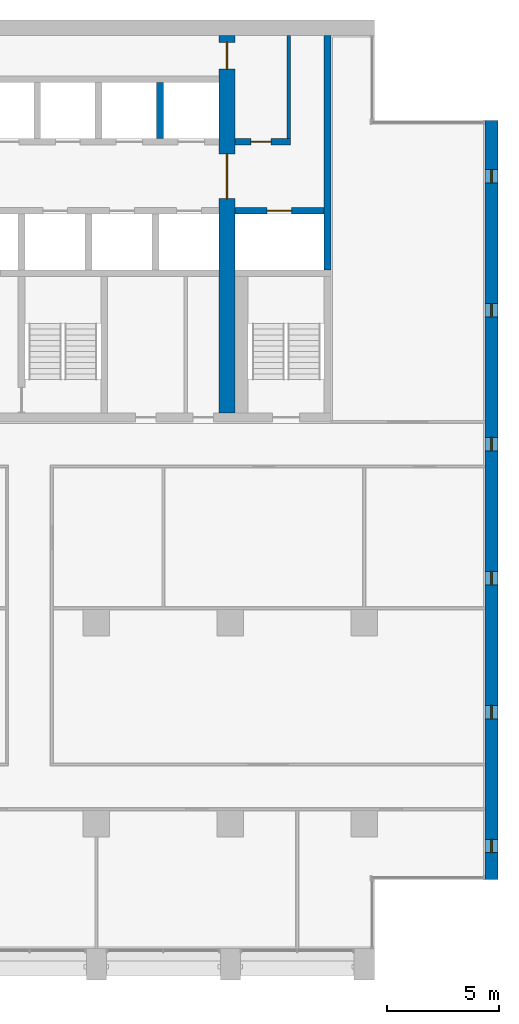
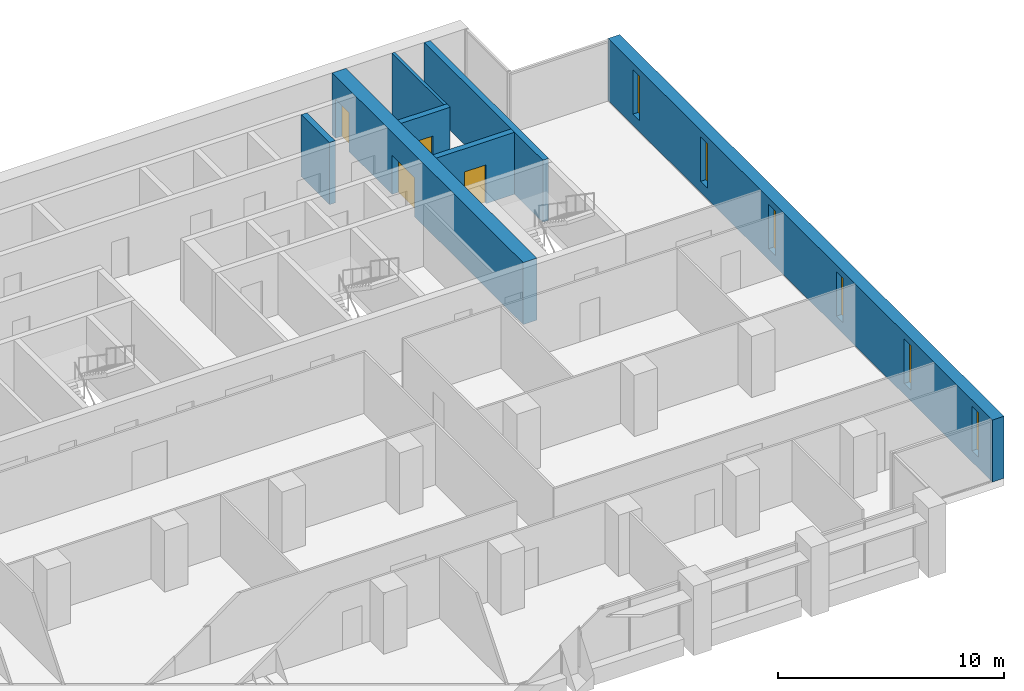
# One storey, part 12 of 17: 7 walls, 6 windows, 4 doors, 10 openings.
"""IFC4 building model written with IfcOpenShell, lengths in metres."""

from ifc_helpers import new_model, si_unit, direction, frame, frame_2d, origin, place, context, subcontext, project, spatial, rectangle, extrude, material, layer, layer_set, type_object, element, fill, save


model = new_model("IFC4")

# Units and contexts
model_context = context("Model", 3, precision=1e-05, world=origin(), true_north=direction((0.0, 1.0)))
body_context = subcontext(model_context, "Body", "Model", "MODEL_VIEW")
ifc_project = project(units=[si_unit("LENGTHUNIT", "METRE"), si_unit("AREAUNIT", "SQUARE_METRE"), si_unit("VOLUMEUNIT", "CUBIC_METRE"), si_unit("PLANEANGLEUNIT", "RADIAN"), si_unit("MASSUNIT", "GRAM", prefix="KILO")], contexts=[model_context])

# Site, building, storey
site_placement = place(None, origin())
site = spatial("IfcSite", under=ifc_project, at=site_placement, CompositionType="ELEMENT")
building_placement = place(site_placement, origin())
building = spatial("IfcBuilding", under=site, at=building_placement, Name="Calvaro Tower", CompositionType="ELEMENT")
storey_placement = place(building_placement, frame((0.0, 0.0, 170.5)))
storey = spatial("IfcBuildingStorey", under=building, at=storey_placement, Name="L42", CompositionType="ELEMENT", Elevation=170.5)

# Wall
ifc_material_1 = material(Name="Blockwork partition", Category="masonry")
ifc_layer_1 = layer(ifc_material_1, 0.14990234375)
ifc_layer_set_1 = layer_set([ifc_layer_1], Name="Blockwork partition")
wall_type_1 = type_object("IfcWallType", Name="Core partition 150 REI 120", PredefinedType="PARTITIONING", material=ifc_layer_set_1)
wall_1_placement = place(storey_placement, frame((62.625, 40.699951171875, 0.0), z_axis=(0.0, 0.0, 1.0), x_axis=(0.0, 1.0, 0.0)))
element("IfcWall", 1, at=wall_1_placement, inside=storey, type_object=wall_type_1, Name="Core partition", PredefinedType="PARTITIONING", context=body_context, shape_type="SweptSolid", body=[
    extrude(rectangle(XDim=4.60009765625, YDim=0.14990234375, at=frame_2d((2.300048828125, 0.0))), origin(), (0.0, 0.0, 1.0), 3.35009765625),
])

# Wall, opening, door
ifc_material_2 = material(Name="Blockwork partition", Category="masonry")
ifc_layer_2 = layer(ifc_material_2, 0.300048828125)
ifc_layer_set_2 = layer_set([ifc_layer_2], Name="Blockwork partition")
wall_type_2 = type_object("IfcWallType", Name="Core partition 300 REI 120", PredefinedType="PARTITIONING", material=ifc_layer_set_2)
wall_2_placement = place(storey_placement, frame((60.199951171875, 40.550048828125, 0.0), z_axis=(0.0, 0.0, 1.0), x_axis=(1.0, 0.0, 0.0)))
wall_2 = element("IfcWall", 2, at=wall_2_placement, inside=storey, type_object=wall_type_2, Name="Core partition", PredefinedType="PARTITIONING", context=body_context, shape_type="SweptSolid", body=[
    extrude(rectangle(XDim=2.5, YDim=0.300048828125, at=frame_2d((1.25, 0.0))), origin(), (0.0, 0.0, 1.0), 3.35009765625),
])
opening_1_placement = place(wall_2_placement, frame((0.72509765625, 0.0, 0.0)))
opening_1 = element("IfcOpeningElement", 3, at=opening_1_placement, cuts=wall_2, Name="Opening RD9E", PredefinedType="OPENING", context=body_context, shape_type="SweptSolid", body=[
    extrude(rectangle(XDim=0.89990234375, YDim=2.10009765625, at=frame_2d((0.449951171875, 1.050048828125))), frame((0.0, 0.159912109375, 0.0), z_axis=(0.0, -1.0, 0.0), x_axis=(1.0, 0.0, 0.0)), (0.0, 0.0, 1.0), 0.320068359375),
])
ifc_material_3 = material(Name="Steel door set", Category="steel")
door_type_1 = type_object("IfcDoorType", Name="Room door 900 FD60", OperationType="SINGLE_SWING_LEFT", PredefinedType="DOOR", material=ifc_material_3)
door_1_placement = place(opening_1_placement, origin())
door_1 = element("IfcDoor", 4, at=door_1_placement, inside=storey, type_object=door_type_1, Name="Room door", OperationType="SINGLE_SWING_LEFT", OverallHeight=2.10009765625, OverallWidth=0.89990234375, PredefinedType="DOOR", context=body_context, shape_type="SweptSolid", body=[
    extrude(rectangle(XDim=0.89990234375, YDim=2.10009765625, at=frame_2d((0.449951171875, 1.050048828125))), frame((0.0, 0.02490234375, 0.0), z_axis=(0.0, -1.0, 0.0), x_axis=(1.0, 0.0, 0.0)), (0.0, 0.0, 1.0), 0.050048828125),
])
fill(opening_1, door_1)

# Wall
ifc_material_4 = material(Name="Concrete C50/60", Category="concrete")
ifc_layer_3 = layer(ifc_material_4, 0.300048828125)
ifc_layer_set_3 = layer_set([ifc_layer_3], Name="Concrete C50/60")
wall_type_3 = type_object("IfcWallType", Name="Core wall C50/60 300", PredefinedType="SHEAR", material=ifc_layer_set_3)
wall_3_placement = place(storey_placement, frame((64.35009765625, 34.800048828125, 0.0), z_axis=(0.0, 0.0, 1.0), x_axis=(0.0, 1.0, 0.0)))
element("IfcWall", 5, at=wall_3_placement, inside=storey, type_object=wall_type_3, Name="Core wall, boundary", PredefinedType="SHEAR", context=body_context, shape_type="SweptSolid", body=[
    extrude(rectangle(XDim=10.5, YDim=0.300048828125, at=frame_2d((5.25, 0.0))), origin(), (0.0, 0.0, 1.0), 3.35009765625),
])

# Wall, opening, door
wall_4_placement = place(storey_placement, frame((60.199951171875, 37.449951171875, 0.0), z_axis=(0.0, 0.0, 1.0), x_axis=(1.0, 0.0, 0.0)))
wall_4 = element("IfcWall", 6, at=wall_4_placement, inside=storey, type_object=wall_type_3, Name="Core wall, lift shaft", PredefinedType="SHEAR", context=body_context, shape_type="SweptSolid", body=[
    extrude(rectangle(XDim=4.0, YDim=0.300048828125, at=frame_2d((2.0, 0.0))), origin(), (0.0, 0.0, 1.0), 3.35009765625),
])
opening_2_placement = place(wall_4_placement, frame((1.449951171875, 0.0, 0.0)))
opening_2 = element("IfcOpeningElement", 7, at=opening_2_placement, cuts=wall_4, Name="Opening FF3", PredefinedType="OPENING", context=body_context, shape_type="SweptSolid", body=[
    extrude(rectangle(XDim=1.10009765625, YDim=2.10009765625, at=frame_2d((0.550048828125, 1.050048828125))), frame((0.0, 0.159912109375, 0.0), z_axis=(0.0, -1.0, 0.0), x_axis=(1.0, 0.0, 0.0)), (0.0, 0.0, 1.0), 0.320068359375),
])
ifc_material_5 = material(Name="Stainless steel", Category="steel")
door_type_2 = type_object("IfcDoorType", Name="Landing door 1100 E 60", OperationType="SLIDING_TO_LEFT", PredefinedType="DOOR", material=ifc_material_5)
door_2_placement = place(opening_2_placement, origin())
door_2 = element("IfcDoor", 8, at=door_2_placement, inside=storey, type_object=door_type_2, Name="Landing door FF3", OperationType="SLIDING_TO_LEFT", OverallHeight=2.10009765625, OverallWidth=1.10009765625, PredefinedType="DOOR", context=body_context, shape_type="SweptSolid", body=[
    extrude(rectangle(XDim=1.10009765625, YDim=2.10009765625, at=frame_2d((0.550048828125, 1.050048828125))), frame((0.0, 0.02490234375, 0.0), z_axis=(0.0, -1.0, 0.0), x_axis=(1.0, 0.0, 0.0)), (0.0, 0.0, 1.0), 0.050048828125),
])
fill(opening_2, door_2)

# Wall
wall_5_placement = place(storey_placement, frame((56.85009765625, 40.699951171875, 0.0), z_axis=(0.0, 0.0, 1.0), x_axis=(0.0, 1.0, 0.0)))
element("IfcWall", 9, at=wall_5_placement, inside=storey, type_object=wall_type_3, Name="Core wall, lift shaft", PredefinedType="SHEAR", context=body_context, shape_type="SweptSolid", body=[
    extrude(rectangle(XDim=2.5, YDim=0.300048828125, at=frame_2d((1.25, 0.0))), origin(), (0.0, 0.0, 1.0), 3.35009765625),
])

# Wall, openings, doors
ifc_material_6 = material(Name="Concrete C50/60", Category="concrete")
ifc_layer_4 = layer(ifc_material_6, 0.699951171875)
ifc_layer_set_4 = layer_set([ifc_layer_4], Name="Concrete C50/60")
wall_type_4 = type_object("IfcWallType", Name="Core wall C50/60 700", PredefinedType="SHEAR", material=ifc_layer_set_4)
wall_6_placement = place(storey_placement, frame((59.85009765625, 28.39990234375, 0.0), z_axis=(0.0, 0.0, 1.0), x_axis=(0.0, 1.0, 0.0)))
wall_6 = element("IfcWall", 10, at=wall_6_placement, inside=storey, type_object=wall_type_4, Name="Core wall, cross shear wall", PredefinedType="SHEAR", context=body_context, shape_type="SweptSolid", body=[
    extrude(rectangle(XDim=16.900146484375, YDim=0.699951171875, at=frame_2d((8.4501953125, 0.0))), origin(), (0.0, 0.0, 1.0), 3.35009765625),
])
opening_3_placement = place(wall_6_placement, frame((9.60009765625, 0.0, 0.0)))
opening_3 = element("IfcOpeningElement", 11, at=opening_3_placement, cuts=wall_6, Name="Opening DD20D", PredefinedType="OPENING", context=body_context, shape_type="SweptSolid", body=[
    extrude(rectangle(XDim=2.0, YDim=2.10009765625, at=frame_2d((1.0, 1.050048828125))), frame((0.0, 0.35986328125, 0.0), z_axis=(0.0, -1.0, 0.0), x_axis=(1.0, 0.0, 0.0)), (0.0, 0.0, 1.0), 0.719970703125),
])
opening_4_placement = place(wall_6_placement, frame((15.39990234375, 0.0, 0.0)))
opening_4 = element("IfcOpeningElement", 12, at=opening_4_placement, cuts=wall_6, Name="Opening FD12C", PredefinedType="OPENING", context=body_context, shape_type="SweptSolid", body=[
    extrude(rectangle(XDim=1.199951171875, YDim=2.10009765625, at=frame_2d((0.60009765625, 1.050048828125))), frame((0.0, 0.35986328125, 0.0), z_axis=(0.0, -1.0, 0.0), x_axis=(1.0, 0.0, 0.0)), (0.0, 0.0, 1.0), 0.719970703125),
])
ifc_material_7 = material(Name="Steel door set", Category="steel")
door_type_3 = type_object("IfcDoorType", Name="Fire door 1200 FD30", OperationType="SINGLE_SWING_LEFT", PredefinedType="DOOR", material=ifc_material_7)
door_3_placement = place(opening_4_placement, origin())
door_3 = element("IfcDoor", 13, at=door_3_placement, inside=storey, type_object=door_type_3, Name="Fire door", OperationType="SINGLE_SWING_LEFT", OverallHeight=2.10009765625, OverallWidth=1.199951171875, PredefinedType="DOOR", context=body_context, shape_type="SweptSolid", body=[
    extrude(rectangle(XDim=1.199951171875, YDim=2.10009765625, at=frame_2d((0.60009765625, 1.050048828125))), frame((0.0, 0.02490234375, 0.0), z_axis=(0.0, -1.0, 0.0), x_axis=(1.0, 0.0, 0.0)), (0.0, 0.0, 1.0), 0.050048828125),
])
fill(opening_4, door_3)
ifc_material_8 = material(Name="Steel door set", Category="steel")
door_type_4 = type_object("IfcDoorType", Name="Lobby double door 2000 FD30S", OperationType="DOUBLE_DOOR_SINGLE_SWING", PredefinedType="DOOR", material=ifc_material_8)
door_4_placement = place(opening_3_placement, origin())
door_4 = element("IfcDoor", 14, at=door_4_placement, inside=storey, type_object=door_type_4, Name="Lobby double door", OperationType="DOUBLE_DOOR_SINGLE_SWING", OverallHeight=2.10009765625, OverallWidth=2.0, PredefinedType="DOOR", context=body_context, shape_type="SweptSolid", body=[
    extrude(rectangle(XDim=2.0, YDim=2.10009765625, at=frame_2d((1.0, 1.050048828125))), frame((0.0, 0.02490234375, 0.0), z_axis=(0.0, -1.0, 0.0), x_axis=(1.0, 0.0, 0.0)), (0.0, 0.0, 1.0), 0.050048828125),
])
fill(opening_3, door_4)

# Wall, openings, windows
ifc_material_9 = material(Name="Concrete C50/60", Category="concrete")
ifc_layer_5 = layer(ifc_material_9, 0.60009765625)
ifc_layer_set_5 = layer_set([ifc_layer_5], Name="Concrete C50/60")
wall_type_5 = type_object("IfcWallType", Name="End wall 600 C50/60", PredefinedType="SHEAR", material=ifc_layer_set_5)
wall_7_placement = place(storey_placement, frame((71.699951171875, 7.5, 0.0), z_axis=(0.0, 0.0, 1.0), x_axis=(0.0, 1.0, 0.0)))
wall_7 = element("IfcWall", 15, at=wall_7_placement, inside=storey, type_object=wall_type_5, Name="End shear wall", PredefinedType="SHEAR", context=body_context, shape_type="SweptSolid", body=[
    extrude(rectangle(XDim=34.0, YDim=0.60009765625, at=frame_2d((17.0, 0.0))), origin(), (0.0, 0.0, 1.0), 3.35009765625),
])
opening_5_placement = place(wall_7_placement, frame((1.199951171875, 0.0, 0.60009765625)))
opening_5 = element("IfcOpeningElement", 16, at=opening_5_placement, cuts=wall_7, Name="Opening WE01", PredefinedType="OPENING", context=body_context, shape_type="SweptSolid", body=[
    extrude(rectangle(XDim=0.60009765625, YDim=2.39990234375, at=frame_2d((0.300048828125, 1.199951171875))), frame((0.0, 0.31005859375, 0.0), z_axis=(0.0, -1.0, 0.0), x_axis=(1.0, 0.0, 0.0)), (0.0, 0.0, 1.0), 0.6201171875),
])
opening_6_placement = place(wall_7_placement, frame((7.199951171875, 0.0, 0.60009765625)))
opening_6 = element("IfcOpeningElement", 17, at=opening_6_placement, cuts=wall_7, Name="Opening WE02", PredefinedType="OPENING", context=body_context, shape_type="SweptSolid", body=[
    extrude(rectangle(XDim=0.60009765625, YDim=2.39990234375, at=frame_2d((0.300048828125, 1.199951171875))), frame((0.0, 0.31005859375, 0.0), z_axis=(0.0, -1.0, 0.0), x_axis=(1.0, 0.0, 0.0)), (0.0, 0.0, 1.0), 0.6201171875),
])
opening_7_placement = place(wall_7_placement, frame((13.199951171875, 0.0, 0.60009765625)))
opening_7 = element("IfcOpeningElement", 18, at=opening_7_placement, cuts=wall_7, Name="Opening WE03", PredefinedType="OPENING", context=body_context, shape_type="SweptSolid", body=[
    extrude(rectangle(XDim=0.60009765625, YDim=2.39990234375, at=frame_2d((0.300048828125, 1.199951171875))), frame((0.0, 0.31005859375, 0.0), z_axis=(0.0, -1.0, 0.0), x_axis=(1.0, 0.0, 0.0)), (0.0, 0.0, 1.0), 0.6201171875),
])
opening_8_placement = place(wall_7_placement, frame((19.199951171875, 0.0, 0.60009765625)))
opening_8 = element("IfcOpeningElement", 19, at=opening_8_placement, cuts=wall_7, Name="Opening WE04", PredefinedType="OPENING", context=body_context, shape_type="SweptSolid", body=[
    extrude(rectangle(XDim=0.60009765625, YDim=2.39990234375, at=frame_2d((0.300048828125, 1.199951171875))), frame((0.0, 0.31005859375, 0.0), z_axis=(0.0, -1.0, 0.0), x_axis=(1.0, 0.0, 0.0)), (0.0, 0.0, 1.0), 0.6201171875),
])
opening_9_placement = place(wall_7_placement, frame((25.199951171875, 0.0, 0.60009765625)))
opening_9 = element("IfcOpeningElement", 20, at=opening_9_placement, cuts=wall_7, Name="Opening WE05", PredefinedType="OPENING", context=body_context, shape_type="SweptSolid", body=[
    extrude(rectangle(XDim=0.60009765625, YDim=2.39990234375, at=frame_2d((0.300048828125, 1.199951171875))), frame((0.0, 0.31005859375, 0.0), z_axis=(0.0, -1.0, 0.0), x_axis=(1.0, 0.0, 0.0)), (0.0, 0.0, 1.0), 0.6201171875),
])
opening_10_placement = place(wall_7_placement, frame((31.199951171875, 0.0, 0.60009765625)))
opening_10 = element("IfcOpeningElement", 21, at=opening_10_placement, cuts=wall_7, Name="Opening WE06", PredefinedType="OPENING", context=body_context, shape_type="SweptSolid", body=[
    extrude(rectangle(XDim=0.60009765625, YDim=2.39990234375, at=frame_2d((0.300048828125, 1.199951171875))), frame((0.0, 0.31005859375, 0.0), z_axis=(0.0, -1.0, 0.0), x_axis=(1.0, 0.0, 0.0)), (0.0, 0.0, 1.0), 0.6201171875),
])
ifc_material_10 = material(Name="Glass", Category="glass")
window_type = type_object("IfcWindowType", Name="Slit window 600 x 2400", PartitioningType="SINGLE_PANEL", PredefinedType="WINDOW", material=ifc_material_10)
window_1_placement = place(opening_5_placement, origin())
window_1 = element("IfcWindow", 22, at=window_1_placement, inside=storey, type_object=window_type, Name="Window WE01", OverallHeight=2.39990234375, OverallWidth=0.60009765625, PartitioningType="SINGLE_PANEL", PredefinedType="WINDOW", context=body_context, shape_type="SweptSolid", body=[
    extrude(rectangle(XDim=0.60009765625, YDim=2.39990234375, at=frame_2d((0.300048828125, 1.199951171875))), frame((0.0, 0.030029296875, 0.0), z_axis=(0.0, -1.0, 0.0), x_axis=(1.0, 0.0, 0.0)), (0.0, 0.0, 1.0), 0.06005859375),
])
fill(opening_5, window_1)
window_2_placement = place(opening_6_placement, origin())
window_2 = element("IfcWindow", 23, at=window_2_placement, inside=storey, type_object=window_type, Name="Window WE02", OverallHeight=2.39990234375, OverallWidth=0.60009765625, PartitioningType="SINGLE_PANEL", PredefinedType="WINDOW", context=body_context, shape_type="SweptSolid", body=[
    extrude(rectangle(XDim=0.60009765625, YDim=2.39990234375, at=frame_2d((0.300048828125, 1.199951171875))), frame((0.0, 0.030029296875, 0.0), z_axis=(0.0, -1.0, 0.0), x_axis=(1.0, 0.0, 0.0)), (0.0, 0.0, 1.0), 0.06005859375),
])
fill(opening_6, window_2)
window_3_placement = place(opening_7_placement, origin())
window_3 = element("IfcWindow", 24, at=window_3_placement, inside=storey, type_object=window_type, Name="Window WE03", OverallHeight=2.39990234375, OverallWidth=0.60009765625, PartitioningType="SINGLE_PANEL", PredefinedType="WINDOW", context=body_context, shape_type="SweptSolid", body=[
    extrude(rectangle(XDim=0.60009765625, YDim=2.39990234375, at=frame_2d((0.300048828125, 1.199951171875))), frame((0.0, 0.030029296875, 0.0), z_axis=(0.0, -1.0, 0.0), x_axis=(1.0, 0.0, 0.0)), (0.0, 0.0, 1.0), 0.06005859375),
])
fill(opening_7, window_3)
window_4_placement = place(opening_8_placement, origin())
window_4 = element("IfcWindow", 25, at=window_4_placement, inside=storey, type_object=window_type, Name="Window WE04", OverallHeight=2.39990234375, OverallWidth=0.60009765625, PartitioningType="SINGLE_PANEL", PredefinedType="WINDOW", context=body_context, shape_type="SweptSolid", body=[
    extrude(rectangle(XDim=0.60009765625, YDim=2.39990234375, at=frame_2d((0.300048828125, 1.199951171875))), frame((0.0, 0.030029296875, 0.0), z_axis=(0.0, -1.0, 0.0), x_axis=(1.0, 0.0, 0.0)), (0.0, 0.0, 1.0), 0.06005859375),
])
fill(opening_8, window_4)
window_5_placement = place(opening_9_placement, origin())
window_5 = element("IfcWindow", 26, at=window_5_placement, inside=storey, type_object=window_type, Name="Window WE05", OverallHeight=2.39990234375, OverallWidth=0.60009765625, PartitioningType="SINGLE_PANEL", PredefinedType="WINDOW", context=body_context, shape_type="SweptSolid", body=[
    extrude(rectangle(XDim=0.60009765625, YDim=2.39990234375, at=frame_2d((0.300048828125, 1.199951171875))), frame((0.0, 0.030029296875, 0.0), z_axis=(0.0, -1.0, 0.0), x_axis=(1.0, 0.0, 0.0)), (0.0, 0.0, 1.0), 0.06005859375),
])
fill(opening_9, window_5)
window_6_placement = place(opening_10_placement, origin())
window_6 = element("IfcWindow", 27, at=window_6_placement, inside=storey, type_object=window_type, Name="Window WE06", OverallHeight=2.39990234375, OverallWidth=0.60009765625, PartitioningType="SINGLE_PANEL", PredefinedType="WINDOW", context=body_context, shape_type="SweptSolid", body=[
    extrude(rectangle(XDim=0.60009765625, YDim=2.39990234375, at=frame_2d((0.300048828125, 1.199951171875))), frame((0.0, 0.030029296875, 0.0), z_axis=(0.0, -1.0, 0.0), x_axis=(1.0, 0.0, 0.0)), (0.0, 0.0, 1.0), 0.06005859375),
])
fill(opening_10, window_6)

save(model, "model.ifc")
